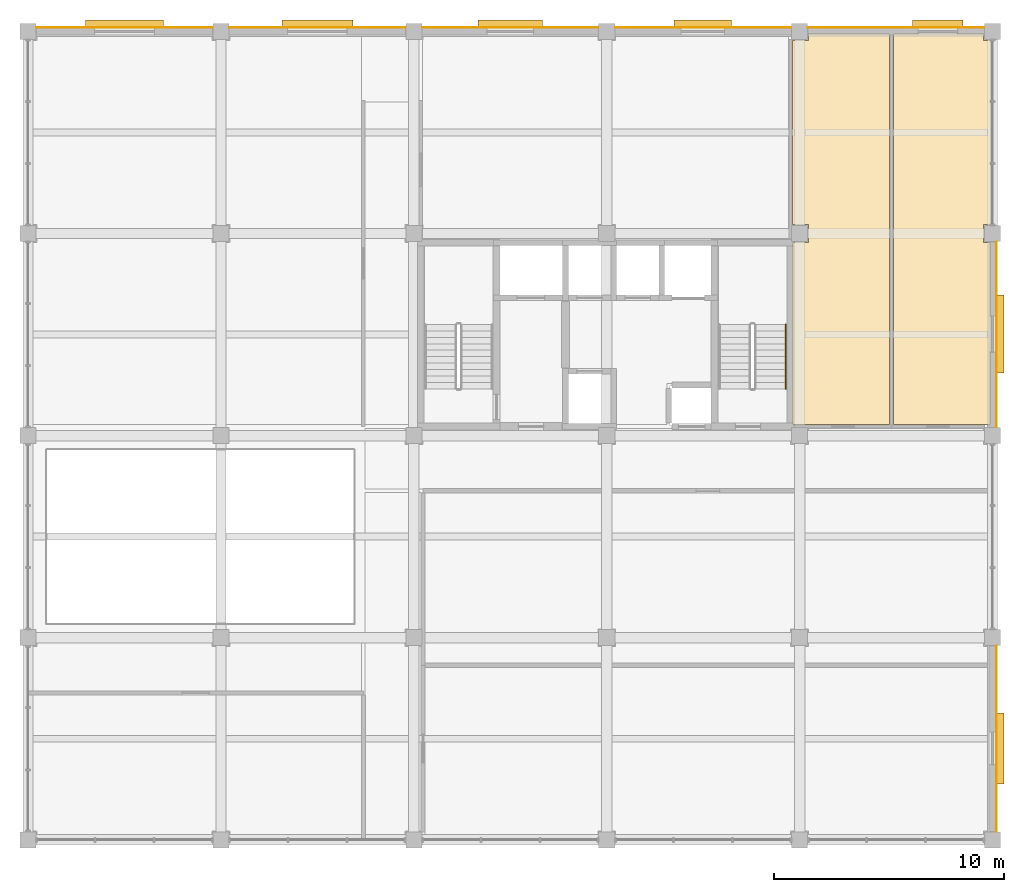
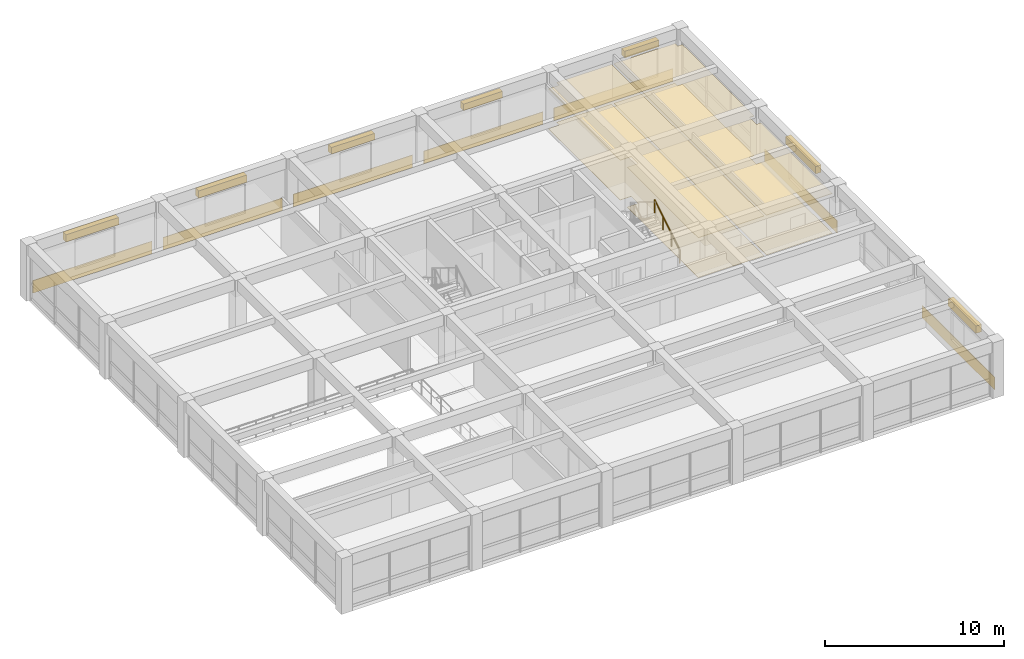
# One storey, part 13 of 13: 11 coverings, 7 shading devices, 1 railing.
"""IFC4 building model written with IfcOpenShell, lengths in metres."""

from ifc_helpers import new_model, si_unit, direction, frame, origin, origin_2d, place, context, subcontext, project, spatial, polyline, rectangle, circle, outline, extrude, material, layer, layer_set, type_object, element, save


model = new_model("IFC4")

# Units and contexts
model_context = context("Model", 3, precision=1e-05, world=origin(), true_north=direction((0.0, 1.0)))
body_context = subcontext(model_context, "Body", "Model", "MODEL_VIEW")
ifc_project = project(units=[si_unit("LENGTHUNIT", "METRE"), si_unit("AREAUNIT", "SQUARE_METRE"), si_unit("VOLUMEUNIT", "CUBIC_METRE"), si_unit("PLANEANGLEUNIT", "RADIAN"), si_unit("MASSUNIT", "GRAM", prefix="KILO")], contexts=[model_context])

# Site, building, storey
site_placement = place(None, origin())
site = spatial("IfcSite", under=ifc_project, at=site_placement, CompositionType="ELEMENT")
building_placement = place(site_placement, origin())
building = spatial("IfcBuilding", under=site, at=building_placement, Name="Kemercrest Conservatory and Botanical Centre", CompositionType="ELEMENT")
storey_placement = place(building_placement, frame((0.0, 0.0, 40.60009765625)))
storey = spatial("IfcBuildingStorey", under=building, at=storey_placement, Name="L10", CompositionType="ELEMENT", Elevation=40.60009765625)

# Coverings
ifc_material_1 = material(Name="Honed limestone almasik ashlar rainscreen", Category="masonry")
ifc_layer_1 = layer(ifc_material_1, 0.0400390625)
ifc_layer_set_1 = layer_set([ifc_layer_1], Name="Honed limestone almasik ashlar rainscreen")
covering_type_1 = type_object("IfcCoveringType", Name="CV-CLD040", PredefinedType="CLADDING", material=ifc_layer_set_1)
covering_1_placement = place(storey_placement, origin())
element("IfcCovering", 1, at=covering_1_placement, inside=storey, type_object=covering_type_1, Name="Exterior stone spandrel cladding (WAL:L10:EXT-293)", PredefinedType="CLADDING", context=body_context, shape_type="SweptSolid", body=[
    extrude(outline(polyline([(176.14990234375, 87.56005859375), (176.18994140625, 87.56005859375), (176.18994140625, 95.639892578125), (176.14990234375, 95.639892578125), (176.14990234375, 87.56005859375)])), origin(), (0.0, 0.0, 1.0), 0.849853515625),
])
covering_2_placement = place(storey_placement, origin())
element("IfcCovering", 2, at=covering_2_placement, inside=storey, type_object=covering_type_1, Name="Exterior stone spandrel cladding (WAL:L10:EXT-294)", PredefinedType="CLADDING", context=body_context, shape_type="SweptSolid", body=[
    extrude(outline(polyline([(176.14990234375, 105.159912109375), (176.18994140625, 105.159912109375), (176.18994140625, 113.239990234375), (176.14990234375, 113.239990234375), (176.14990234375, 105.159912109375)])), origin(), (0.0, 0.0, 1.0), 0.849853515625),
])
covering_3_placement = place(storey_placement, origin())
element("IfcCovering", 3, at=covering_3_placement, inside=storey, type_object=covering_type_1, Name="Exterior stone spandrel cladding (WAL:L10:EXT-295)", PredefinedType="CLADDING", context=body_context, shape_type="SweptSolid", body=[
    extrude(outline(polyline([(175.639892578125, 122.550048828125), (175.639892578125, 122.590087890625), (167.9599609375, 122.590087890625), (167.9599609375, 122.550048828125), (175.639892578125, 122.550048828125)])), origin(), (0.0, 0.0, 1.0), 0.849853515625),
])
covering_4_placement = place(storey_placement, origin())
element("IfcCovering", 4, at=covering_4_placement, inside=storey, type_object=covering_type_1, Name="Exterior stone spandrel cladding (WAL:L10:EXT-296)", PredefinedType="CLADDING", context=body_context, shape_type="SweptSolid", body=[
    extrude(outline(polyline([(167.239990234375, 122.550048828125), (167.239990234375, 122.590087890625), (159.56005859375, 122.590087890625), (159.56005859375, 122.550048828125), (167.239990234375, 122.550048828125)])), origin(), (0.0, 0.0, 1.0), 0.849853515625),
])
covering_5_placement = place(storey_placement, origin())
element("IfcCovering", 5, at=covering_5_placement, inside=storey, type_object=covering_type_1, Name="Exterior stone spandrel cladding (WAL:L10:EXT-297)", PredefinedType="CLADDING", context=body_context, shape_type="SweptSolid", body=[
    extrude(outline(polyline([(158.840087890625, 122.550048828125), (158.840087890625, 122.590087890625), (151.159912109375, 122.590087890625), (151.159912109375, 122.550048828125), (158.840087890625, 122.550048828125)])), origin(), (0.0, 0.0, 1.0), 0.849853515625),
])
covering_6_placement = place(storey_placement, origin())
element("IfcCovering", 6, at=covering_6_placement, inside=storey, type_object=covering_type_1, Name="Exterior stone spandrel cladding (WAL:L10:EXT-298)", PredefinedType="CLADDING", context=body_context, shape_type="SweptSolid", body=[
    extrude(outline(polyline([(150.43994140625, 122.550048828125), (150.43994140625, 122.590087890625), (142.760009765625, 122.590087890625), (142.760009765625, 122.550048828125), (150.43994140625, 122.550048828125)])), origin(), (0.0, 0.0, 1.0), 0.849853515625),
])
covering_7_placement = place(storey_placement, origin())
element("IfcCovering", 7, at=covering_7_placement, inside=storey, type_object=covering_type_1, Name="Exterior stone spandrel cladding (WAL:L10:EXT-299)", PredefinedType="CLADDING", context=body_context, shape_type="SweptSolid", body=[
    extrude(outline(polyline([(142.0400390625, 122.550048828125), (142.0400390625, 122.590087890625), (134.360107421875, 122.590087890625), (134.360107421875, 122.550048828125), (142.0400390625, 122.550048828125)])), origin(), (0.0, 0.0, 1.0), 0.849853515625),
])
ifc_material_2 = material(Name="Perforated acoustic gypsum and mineral-fibre suspended ceiling", Category="gypsum")
ifc_layer_2 = layer(ifc_material_2, 0.034912109375)
ifc_layer_set_2 = layer_set([ifc_layer_2], Name="Perforated acoustic gypsum and mineral-fibre suspended ceiling")
covering_type_2 = type_object("IfcCoveringType", Name="CV-CLG035", PredefinedType="CEILING", material=ifc_layer_set_2)
covering_8_placement = place(storey_placement, frame((0.0, 0.0, 2.699951171875)))
element("IfcCovering", 8, at=covering_8_placement, inside=storey, type_object=covering_type_2, Name="Staff Washroom suspended acoustic ceiling", PredefinedType="CEILING", context=body_context, shape_type="SweptSolid", body=[
    extrude(outline(polyline([(167.280029296875, 105.280029296875), (171.52001953125, 105.280029296875), (171.52001953125, 122.320068359375), (167.989990234375, 122.320068359375), (167.989990234375, 122.010009765625), (167.280029296875, 122.010009765625), (167.280029296875, 113.989990234375), (167.989990234375, 113.989990234375), (167.989990234375, 113.2099609375), (167.280029296875, 113.2099609375), (167.280029296875, 105.280029296875)])), origin(), (0.0, 0.0, 1.0), 0.034912109375),
])
covering_9_placement = place(storey_placement, frame((0.0, 0.0, 2.699951171875)))
element("IfcCovering", 9, at=covering_9_placement, inside=storey, type_object=covering_type_2, Name="Accessible Washroom suspended acoustic ceiling", PredefinedType="CEILING", context=body_context, shape_type="SweptSolid", body=[
    extrude(outline(polyline([(171.679931640625, 105.280029296875), (175.919921875, 105.280029296875), (175.919921875, 113.2099609375), (175.610107421875, 113.2099609375), (175.610107421875, 113.989990234375), (175.919921875, 113.989990234375), (175.919921875, 122.010009765625), (175.610107421875, 122.010009765625), (175.610107421875, 122.320068359375), (171.679931640625, 122.320068359375), (171.679931640625, 105.280029296875)])), origin(), (0.0, 0.0, 1.0), 0.034912109375),
])
ifc_material_3 = material(Name="Polished limestone terrazzo and seamless laboratory epoxy flooring", Category="masonry")
ifc_layer_3 = layer(ifc_material_3, 0.02001953125)
ifc_layer_set_3 = layer_set([ifc_layer_3], Name="Polished limestone terrazzo and seamless laboratory epoxy flooring")
covering_type_3 = type_object("IfcCoveringType", Name="CV-FLR020", PredefinedType="FLOORING", material=ifc_layer_set_3)
covering_10_placement = place(storey_placement, origin())
element("IfcCovering", 10, at=covering_10_placement, inside=storey, type_object=covering_type_3, Name="Staff Washroom floor finish", PredefinedType="FLOORING", context=body_context, shape_type="SweptSolid", body=[
    extrude(outline(polyline([(167.280029296875, 105.280029296875), (171.52001953125, 105.280029296875), (171.52001953125, 122.320068359375), (167.989990234375, 122.320068359375), (167.989990234375, 122.010009765625), (167.280029296875, 122.010009765625), (167.280029296875, 113.989990234375), (167.989990234375, 113.989990234375), (167.989990234375, 113.2099609375), (167.280029296875, 113.2099609375), (167.280029296875, 105.280029296875)])), origin(), (0.0, 0.0, 1.0), 0.02001953125),
])
covering_11_placement = place(storey_placement, origin())
element("IfcCovering", 11, at=covering_11_placement, inside=storey, type_object=covering_type_3, Name="Accessible Washroom floor finish", PredefinedType="FLOORING", context=body_context, shape_type="SweptSolid", body=[
    extrude(outline(polyline([(171.679931640625, 105.280029296875), (175.919921875, 105.280029296875), (175.919921875, 113.2099609375), (175.610107421875, 113.2099609375), (175.610107421875, 113.989990234375), (175.919921875, 113.989990234375), (175.919921875, 122.010009765625), (175.610107421875, 122.010009765625), (175.610107421875, 122.320068359375), (171.679931640625, 122.320068359375), (171.679931640625, 105.280029296875)])), origin(), (0.0, 0.0, 1.0), 0.02001953125),
])

# Railing
ifc_material_4 = material(Name="Brushed stainless steel wall-mounted handrail", Category="steel")
railing_type = type_object("IfcRailingType", Name="HR-STR090", PredefinedType="HANDRAIL", material=ifc_material_4)
railing_placement = place(storey_placement, frame((166.989990234375, 106.840087890625, 0.172607421875)))
element("IfcRailing", 12, at=railing_placement, inside=storey, type_object=railing_type, Name="L10 ST-V4B stair handrail 1", PredefinedType="HANDRAIL", context=body_context, shape_type="SweptSolid", body=[
    extrude(circle(Radius=0.02392578125, at=origin_2d()), frame((0.0, 0.0, 0.8759765625), z_axis=(0.0, 0.851069175582, 0.525053576669), x_axis=(-1.0, 0.0, 0.0)), (0.0, 0.0, 1.0), 3.289794921875),
    extrude(circle(Radius=0.02099609375, at=origin_2d()), origin(), (0.0, 0.0, 1.0), 0.851806640625),
    extrude(circle(Radius=0.02099609375, at=origin_2d()), frame((0.0, 0.933349609375, 0.57568359375)), (0.0, 0.0, 1.0), 0.851806640625),
    extrude(circle(Radius=0.02099609375, at=origin_2d()), frame((0.0, 1.866455078125, 1.151611328125)), (0.0, 0.0, 1.0), 0.851806640625),
    extrude(circle(Radius=0.02099609375, at=origin_2d()), frame((0.0, 2.7998046875, 1.727294921875)), (0.0, 0.0, 1.0), 0.851806640625),
])

# Shading devices
ifc_material_5 = material(Name="Architectural bronze-anodized extruded aluminium", Category="aluminium")
shading_device_type_1 = type_object("IfcShadingDeviceType", Name="SH-JL01", PredefinedType="JALOUSIE", material=ifc_material_5)
shading_device_1_placement = place(storey_placement, frame((173.6201171875, 122.722900390625, 2.6748046875), z_axis=(0.0, 0.0, 1.0), x_axis=(-1.0, 0.0, 0.0)))
element("IfcShadingDevice", 13, at=shading_device_1_placement, inside=storey, type_object=shading_device_type_1, Name="Solar control louvre visor SH-JL01 (WIN:L10:EXT-295)", PredefinedType="JALOUSIE", context=body_context, shape_type="SweptSolid", body=[
    extrude(rectangle(XDim=2.199951171875, YDim=0.35009765625, at=origin_2d()), origin(), (0.0, 0.0, 1.0), 0.449951171875),
])
shading_device_type_2 = type_object("IfcShadingDeviceType", Name="SH-JL02", PredefinedType="JALOUSIE", material=ifc_material_5)
shading_device_2_placement = place(storey_placement, frame((163.3798828125, 122.722900390625, 2.71484375), z_axis=(0.0, 0.0, 1.0), x_axis=(-1.0, 0.0, 0.0)))
element("IfcShadingDevice", 14, at=shading_device_2_placement, inside=storey, type_object=shading_device_type_2, Name="Solar control louvre visor SH-JL02 (WIN:L10:EXT-296)", PredefinedType="JALOUSIE", context=body_context, shape_type="SweptSolid", body=[
    extrude(rectangle(XDim=2.5, YDim=0.35009765625, at=origin_2d()), origin(), (0.0, 0.0, 1.0), 0.449951171875),
])
shading_device_type_3 = type_object("IfcShadingDeviceType", Name="SH-JL03", PredefinedType="JALOUSIE", material=ifc_material_5)
shading_device_3_placement = place(storey_placement, frame((155.0, 122.722900390625, 2.73486328125), z_axis=(0.0, 0.0, 1.0), x_axis=(-1.0, 0.0, 0.0)))
element("IfcShadingDevice", 15, at=shading_device_3_placement, inside=storey, type_object=shading_device_type_3, Name="Solar control louvre visor SH-JL03 (WIN:L10:EXT-297)", PredefinedType="JALOUSIE", context=body_context, shape_type="SweptSolid", body=[
    extrude(rectangle(XDim=2.800048828125, YDim=0.35009765625, at=origin_2d()), origin(), (0.0, 0.0, 1.0), 0.449951171875),
])
shading_device_type_4 = type_object("IfcShadingDeviceType", Name="SH-JL04", PredefinedType="JALOUSIE", material=ifc_material_5)
for number, where, z_axis, x_axis, name in (
    (16, (176.322998046875, 91.179931640625, 2.58984375), (0.0, 0.0, 1.0), (0.0, 1.0, 0.0), "Solar control louvre visor SH-JL04 (WIN:L10:EXT-293)"),
    (17, (146.60009765625, 122.722900390625, 2.72998046875), (0.0, 0.0, 1.0), (-1.0, 0.0, 0.0), "Solar control louvre visor SH-JL04 (WIN:L10:EXT-298)"),
):
    element("IfcShadingDevice", number, at=place(storey_placement, frame(where, z_axis=z_axis, x_axis=x_axis)), inside=storey, type_object=shading_device_type_4, Name=name, PredefinedType="JALOUSIE", context=body_context, shape_type="SweptSolid", body=[
        extrude(rectangle(XDim=3.10009765625, YDim=0.35009765625, at=origin_2d()), origin(), (0.0, 0.0, 1.0), 0.5),
    ])
shading_device_type_5 = type_object("IfcShadingDeviceType", Name="SH-JL05", PredefinedType="JALOUSIE", material=ifc_material_5)
for number, where, z_axis, x_axis, name in (
    (18, (176.322998046875, 109.219970703125, 2.60986328125), (0.0, 0.0, 1.0), (0.0, 1.0, 0.0), "Solar control louvre visor SH-JL05 (WIN:L10:EXT-294)"),
    (19, (138.199951171875, 122.722900390625, 2.72998046875), (0.0, 0.0, 1.0), (-1.0, 0.0, 0.0), "Solar control louvre visor SH-JL05 (WIN:L10:EXT-299)"),
):
    element("IfcShadingDevice", number, at=place(storey_placement, frame(where, z_axis=z_axis, x_axis=x_axis)), inside=storey, type_object=shading_device_type_5, Name=name, PredefinedType="JALOUSIE", context=body_context, shape_type="SweptSolid", body=[
        extrude(rectangle(XDim=3.39990234375, YDim=0.35009765625, at=origin_2d()), origin(), (0.0, 0.0, 1.0), 0.5),
    ])

save(model, "model.ifc")
